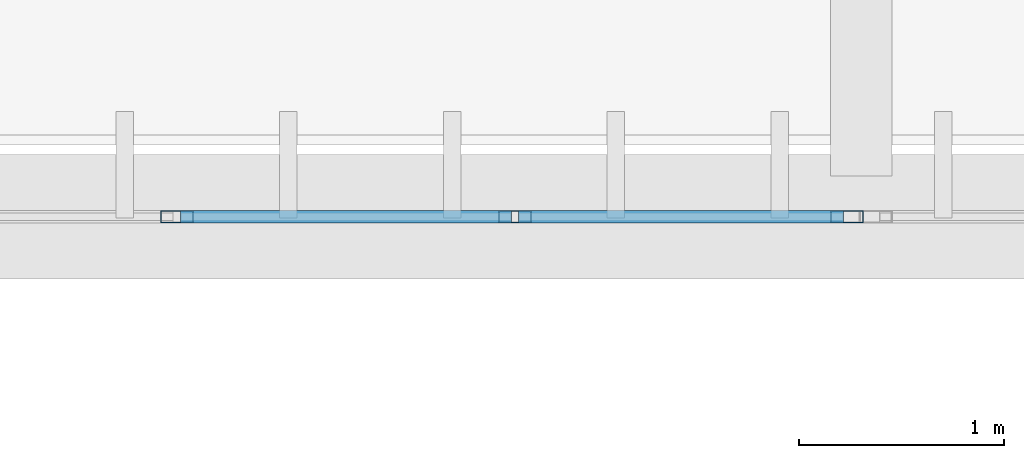
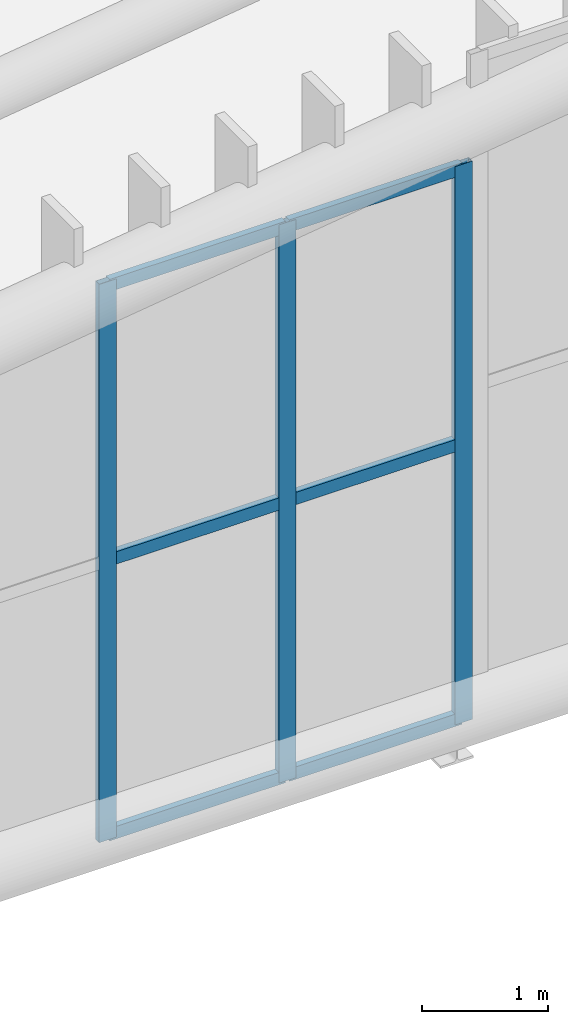
# One storey, part 254 of 397: 9 members, 1 element without a shape of its own.
"""IFC4 building model written with IfcOpenShell, lengths in metres."""

from ifc_helpers import new_model, si_unit, direction, frame, origin, origin_2d, place, context, subcontext, project, spatial, hollow_rectangle, extrude, material, material_profile, profile_set, type_object, element, aggregate, save


model = new_model("IFC4")

# Units and contexts
model_context = context("Model", 3, precision=1e-05, world=origin(), true_north=direction((0.0, 1.0)))
body_context = subcontext(model_context, "Body", "Model", "MODEL_VIEW")
ifc_project = project(units=[si_unit("LENGTHUNIT", "METRE"), si_unit("AREAUNIT", "SQUARE_METRE"), si_unit("VOLUMEUNIT", "CUBIC_METRE"), si_unit("PLANEANGLEUNIT", "RADIAN"), si_unit("MASSUNIT", "GRAM", prefix="KILO")], contexts=[model_context])

# Site, building, storey
site_placement = place(None, origin())
site = spatial("IfcSite", under=ifc_project, at=site_placement, CompositionType="ELEMENT")
building_placement = place(site_placement, origin())
building = spatial("IfcBuilding", under=site, at=building_placement, Name="Qandorah Velis Arena", CompositionType="ELEMENT")
storey_placement = place(building_placement, frame((0.0, 0.0, 27.5)))
storey = spatial("IfcBuildingStorey", under=building, at=storey_placement, Name="RF", CompositionType="ELEMENT", Elevation=27.5)

# Curtain wall, members
ifc_material_1 = material(Name="Solar-control low-E double glazing", Category="glass")
curtain_wall_type = type_object("IfcCurtainWallType", Name="ARC-CW-SYS02", PredefinedType="USERDEFINED", material=ifc_material_1)
curtain_wall_placement = place(storey_placement, origin())
curtain_wall = element("IfcCurtainWall", 1, at=curtain_wall_placement, inside=storey, type_object=curtain_wall_type, Name="Unitised curtain wall CROWN-4-02S1", ObjectType="UNITISED CURTAIN WALL", PredefinedType="USERDEFINED")
ifc_material_2 = material(Name="Champagne-bronze anodized aluminium 6063-T6", Category="aluminium")
ifc_material_profile_1 = material_profile(ifc_material_2, hollow_rectangle(XDim=0.06005859375, YDim=0.159912109375, WallThickness=0.00341796875, at=origin_2d()), Name="ALU MULLION 60x160")
ifc_profile_set_1 = profile_set([ifc_material_profile_1], Name="Champagne-bronze anodized aluminium 6063-T6")
member_type_1 = type_object("IfcMemberType", Name="ARC-CWM-160", PredefinedType="MULLION", material=ifc_profile_set_1)
member_1_placement = place(storey_placement, frame((32.655029296875, 115.199951171875, -0.014892578125), z_axis=(0.0, 0.0, 1.0), x_axis=(0.0, 1.0, 0.0)))
member_1 = element("IfcMember", 2, at=member_1_placement, type_object=member_type_1, Name="CW02 mullion 3", PredefinedType="MULLION", context=body_context, shape_type="SweptSolid", body=[
    extrude(hollow_rectangle(XDim=0.06005859375, YDim=0.159912109375, WallThickness=0.00341796875, at=origin_2d()), origin(), (0.0, 0.0, 1.0), 5.430908203125),
])
member_2_placement = place(storey_placement, frame((34.3076171875, 115.199951171875, -0.014892578125), z_axis=(0.0, 0.0, 1.0), x_axis=(0.0, 1.0, 0.0)))
member_2 = element("IfcMember", 3, at=member_2_placement, type_object=member_type_1, Name="CW02 mullion 4", PredefinedType="MULLION", context=body_context, shape_type="SweptSolid", body=[
    extrude(hollow_rectangle(XDim=0.06005859375, YDim=0.159912109375, WallThickness=0.00341796875, at=origin_2d()), origin(), (0.0, 0.0, 1.0), 5.430908203125),
])
member_3_placement = place(storey_placement, frame((35.929931640625, 115.199951171875, -0.014892578125), z_axis=(0.0, 0.0, 1.0), x_axis=(0.0, 1.0, 0.0)))
member_3 = element("IfcMember", 4, at=member_3_placement, type_object=member_type_1, Name="CW02 mullion 5", PredefinedType="MULLION", context=body_context, shape_type="SweptSolid", body=[
    extrude(hollow_rectangle(XDim=0.06005859375, YDim=0.159912109375, WallThickness=0.00341796875, at=origin_2d()), origin(), (0.0, 0.0, 1.0), 5.430908203125),
])
ifc_material_profile_2 = material_profile(ifc_material_2, hollow_rectangle(XDim=0.06005859375, YDim=0.1201171875, WallThickness=0.0029296875, at=origin_2d()), Name="ALU TRANSOM 60x120")
ifc_profile_set_2 = profile_set([ifc_material_profile_2], Name="Champagne-bronze anodized aluminium 6063-T6")
member_type_2 = type_object("IfcMemberType", Name="ARC-CWT-120", PredefinedType="USERDEFINED", material=ifc_profile_set_2)
member_4_placement = place(storey_placement, frame((32.673095703125, 115.199951171875, 0.030029296875), z_axis=(1.0, 0.0, 0.0), x_axis=(0.0, 1.0, 0.0)))
member_4 = element("IfcMember", 5, at=member_4_placement, type_object=member_type_2, Name="CW02 transom 3.1", ObjectType="TRANSOM", PredefinedType="USERDEFINED", context=body_context, shape_type="SweptSolid", body=[
    extrude(hollow_rectangle(XDim=0.06005859375, YDim=0.1201171875, WallThickness=0.0029296875, at=origin_2d()), origin(), (0.0, 0.0, 1.0), 1.616455078125),
])
member_5_placement = place(storey_placement, frame((32.673095703125, 115.199951171875, 2.700439453125), z_axis=(1.0, 0.0, 0.0), x_axis=(0.0, 1.0, 0.0)))
member_5 = element("IfcMember", 6, at=member_5_placement, type_object=member_type_2, Name="CW02 transom 3.2", ObjectType="TRANSOM", PredefinedType="USERDEFINED", context=body_context, shape_type="SweptSolid", body=[
    extrude(hollow_rectangle(XDim=0.06005859375, YDim=0.1201171875, WallThickness=0.0029296875, at=origin_2d()), origin(), (0.0, 0.0, 1.0), 1.616455078125),
])
member_6_placement = place(storey_placement, frame((32.673095703125, 115.199951171875, 5.370849609375), z_axis=(1.0, 0.0, 0.0), x_axis=(0.0, 1.0, 0.0)))
member_6 = element("IfcMember", 7, at=member_6_placement, type_object=member_type_2, Name="CW02 transom 3.3", ObjectType="TRANSOM", PredefinedType="USERDEFINED", context=body_context, shape_type="SweptSolid", body=[
    extrude(hollow_rectangle(XDim=0.06005859375, YDim=0.1201171875, WallThickness=0.0029296875, at=origin_2d()), origin(), (0.0, 0.0, 1.0), 1.616455078125),
])
member_7_placement = place(storey_placement, frame((34.325439453125, 115.199951171875, 0.030029296875), z_axis=(1.0, 0.0, 0.0), x_axis=(0.0, 1.0, 0.0)))
member_7 = element("IfcMember", 8, at=member_7_placement, type_object=member_type_2, Name="CW02 transom 4.1", ObjectType="TRANSOM", PredefinedType="USERDEFINED", context=body_context, shape_type="SweptSolid", body=[
    extrude(hollow_rectangle(XDim=0.06005859375, YDim=0.1201171875, WallThickness=0.0029296875, at=origin_2d()), origin(), (0.0, 0.0, 1.0), 1.586669921875),
])
member_8_placement = place(storey_placement, frame((34.325439453125, 115.199951171875, 2.700439453125), z_axis=(1.0, 0.0, 0.0), x_axis=(0.0, 1.0, 0.0)))
member_8 = element("IfcMember", 9, at=member_8_placement, type_object=member_type_2, Name="CW02 transom 4.2", ObjectType="TRANSOM", PredefinedType="USERDEFINED", context=body_context, shape_type="SweptSolid", body=[
    extrude(hollow_rectangle(XDim=0.06005859375, YDim=0.1201171875, WallThickness=0.0029296875, at=origin_2d()), origin(), (0.0, 0.0, 1.0), 1.586669921875),
])
member_9_placement = place(storey_placement, frame((34.325439453125, 115.199951171875, 5.370849609375), z_axis=(1.0, 0.0, 0.0), x_axis=(0.0, 1.0, 0.0)))
member_9 = element("IfcMember", 10, at=member_9_placement, type_object=member_type_2, Name="CW02 transom 4.3", ObjectType="TRANSOM", PredefinedType="USERDEFINED", context=body_context, shape_type="SweptSolid", body=[
    extrude(hollow_rectangle(XDim=0.06005859375, YDim=0.1201171875, WallThickness=0.0029296875, at=origin_2d()), origin(), (0.0, 0.0, 1.0), 1.586669921875),
])
aggregate(curtain_wall, [member_1, member_2, member_3, member_4, member_5, member_6, member_7, member_8, member_9])

save(model, "model.ifc")
